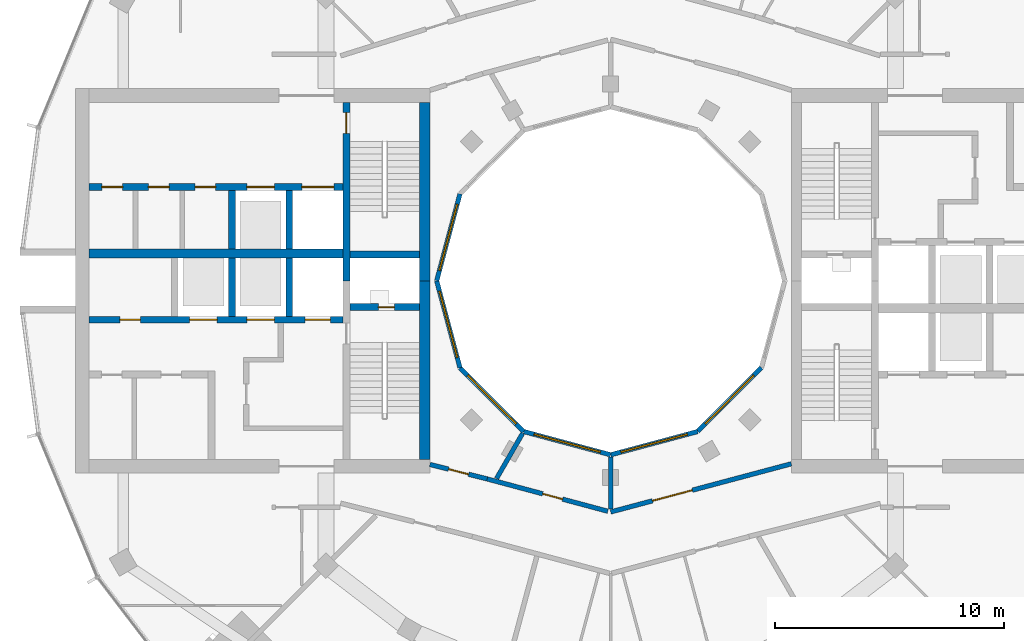
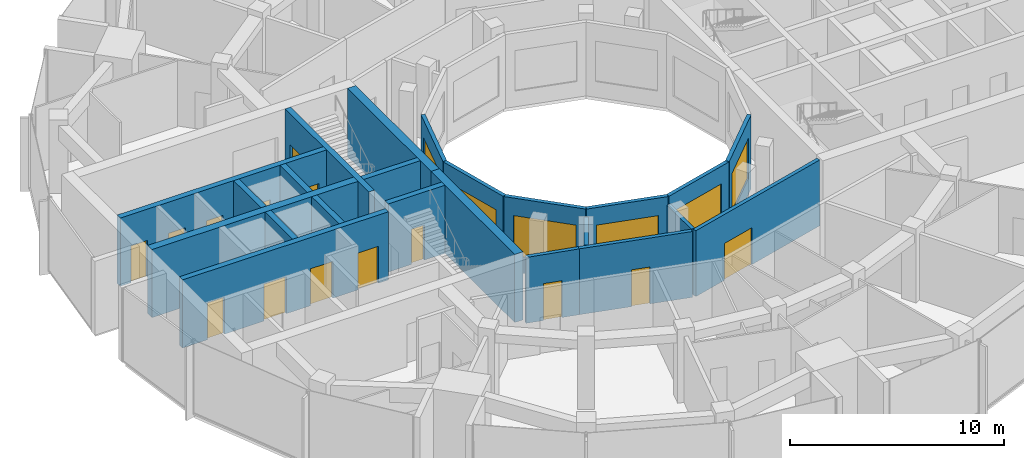
# One storey, part 9 of 15: 23 walls, 14 doors, 6 windows, 20 openings.
"""IFC4 building model written with IfcOpenShell, lengths in metres."""

from ifc_helpers import new_model, si_unit, direction, frame, frame_2d, origin, place, context, subcontext, project, spatial, rectangle, extrude, material, layer, layer_set, type_object, element, fill, save


model = new_model("IFC4")

# Units and contexts
model_context = context("Model", 3, precision=1e-05, world=origin(), true_north=direction((0.0, 1.0)))
body_context = subcontext(model_context, "Body", "Model", "MODEL_VIEW")
ifc_project = project(units=[si_unit("LENGTHUNIT", "METRE"), si_unit("AREAUNIT", "SQUARE_METRE"), si_unit("VOLUMEUNIT", "CUBIC_METRE"), si_unit("PLANEANGLEUNIT", "RADIAN"), si_unit("MASSUNIT", "GRAM", prefix="KILO")], contexts=[model_context])

# Site, building, storey
site_placement = place(None, origin())
site = spatial("IfcSite", under=ifc_project, at=site_placement, CompositionType="ELEMENT")
building_placement = place(site_placement, origin())
building = spatial("IfcBuilding", under=site, at=building_placement, Name="Torre Brocal", CompositionType="ELEMENT")
storey_placement = place(building_placement, frame((0.0, 0.0, 262.5)))
storey = spatial("IfcBuildingStorey", under=building, at=storey_placement, Name="L60", CompositionType="ELEMENT", Elevation=262.5)

# Wall, opening, door
ifc_material_1 = material(Name="Concrete C60", Category="concrete")
ifc_layer_1 = layer(ifc_material_1, 0.300048828125)
ifc_layer_set_1 = layer_set([ifc_layer_1], Name="Concrete C60")
wall_type_1 = type_object("IfcWallType", Name="CORE WALL 300 C60", PredefinedType="SHEAR", material=ifc_layer_set_1)
wall_1_placement = place(storey_placement, frame((68.449951171875, 82.800048828125, 0.0), z_axis=(0.0, 0.0, 1.0), x_axis=(0.0, -1.0, 0.0)))
wall_1 = element("IfcWall", 1, at=wall_1_placement, inside=storey, type_object=wall_type_1, Name="Wall CW300-60", PredefinedType="SHEAR", context=body_context, shape_type="SweptSolid", body=[
    extrude(rectangle(XDim=7.800048828125, YDim=0.300048828125, at=frame_2d((3.89990234375, 0.0))), origin(), (0.0, 0.0, 1.0), 3.8798828125),
])
opening_1_placement = place(wall_1_placement, frame((0.449951171875, 0.0, 0.0)))
opening_1 = element("IfcOpeningElement", 2, at=opening_1_placement, cuts=wall_1, Name="Opening W-D03", PredefinedType="OPENING", context=body_context, shape_type="SweptSolid", body=[
    extrude(rectangle(XDim=0.89990234375, YDim=2.10009765625, at=frame_2d((0.449951171875, 1.050048828125))), frame((0.0, 0.159912109375, 0.0), z_axis=(0.0, -1.0, 0.0), x_axis=(1.0, 0.0, 0.0)), (0.0, 0.0, 1.0), 0.320068359375),
])
ifc_material_2 = material(Name="Steel A653", Category="steel")
door_type_1 = type_object("IfcDoorType", Name="STAIR DOOR FD120 900X2100", OperationType="SINGLE_SWING_RIGHT", PredefinedType="DOOR", material=ifc_material_2)
door_1_placement = place(opening_1_placement, origin())
door_1 = element("IfcDoor", 3, at=door_1_placement, inside=storey, type_object=door_type_1, Name="Door W-D03", OperationType="SINGLE_SWING_LEFT", OverallHeight=2.10009765625, OverallWidth=0.89990234375, PredefinedType="DOOR", context=body_context, shape_type="SweptSolid", body=[
    extrude(rectangle(XDim=0.89990234375, YDim=2.10009765625, at=frame_2d((0.449951171875, 1.050048828125))), frame((0.0, 0.02490234375, 0.0), z_axis=(0.0, -1.0, 0.0), x_axis=(1.0, 0.0, 0.0)), (0.0, 0.0, 1.0), 0.050048828125),
])
fill(opening_1, door_1)

wall_2_placement = place(storey_placement, frame((71.64990234375, 73.85009765625, 0.0), z_axis=(0.0, 0.0, 1.0), x_axis=(-1.0, 0.0, 0.0)))
wall_2 = element("IfcWall", 4, at=wall_2_placement, inside=storey, type_object=wall_type_1, Name="Wall CW300-60", PredefinedType="SHEAR", context=body_context, shape_type="SweptSolid", body=[
    extrude(rectangle(XDim=3.0498046875, YDim=0.300048828125, at=frame_2d((1.52490234375, 0.0))), origin(), (0.0, 0.0, 1.0), 3.8798828125),
])
opening_2_placement = place(wall_2_placement, frame((1.10009765625, 0.0, 0.0)))
opening_2 = element("IfcOpeningElement", 5, at=opening_2_placement, cuts=wall_2, Name="Opening W-D01", PredefinedType="OPENING", context=body_context, shape_type="SweptSolid", body=[
    extrude(rectangle(XDim=0.699951171875, YDim=2.0, at=frame_2d((0.35009765625, 1.0))), frame((0.0, 0.159912109375, 0.0), z_axis=(0.0, -1.0, 0.0), x_axis=(1.0, 0.0, 0.0)), (0.0, 0.0, 1.0), 0.320068359375),
])
ifc_material_3 = material(Name="Steel A653", Category="steel")
door_type_2 = type_object("IfcDoorType", Name="RISER DOOR FD120 700X2000", OperationType="SINGLE_SWING_LEFT", PredefinedType="DOOR", material=ifc_material_3)
door_2_placement = place(opening_2_placement, frame((0.699951171875, 0.0, 0.0), z_axis=(0.0, 0.0, 1.0), x_axis=(-1.0, 0.0, 0.0)))
door_2 = element("IfcDoor", 6, at=door_2_placement, inside=storey, type_object=door_type_2, Name="Door W-D01", OperationType="SINGLE_SWING_RIGHT", OverallHeight=2.0, OverallWidth=0.699951171875, PredefinedType="DOOR", context=body_context, shape_type="SweptSolid", body=[
    extrude(rectangle(XDim=0.699951171875, YDim=2.0, at=frame_2d((0.35009765625, 1.0))), frame((0.0, 0.02490234375, 0.0), z_axis=(0.0, -1.0, 0.0), x_axis=(1.0, 0.0, 0.0)), (0.0, 0.0, 1.0), 0.050048828125),
])
fill(opening_2, door_2)

# Wall
wall_3_placement = place(storey_placement, frame((71.64990234375, 76.14990234375, 0.0), z_axis=(0.0, 0.0, 1.0), x_axis=(-1.0, 0.0, 0.0)))
element("IfcWall", 7, at=wall_3_placement, inside=storey, type_object=wall_type_1, Name="Wall CW300-60", PredefinedType="SHEAR", context=body_context, shape_type="SweptSolid", body=[
    extrude(rectangle(XDim=3.0498046875, YDim=0.300048828125, at=frame_2d((1.52490234375, 0.0))), origin(), (0.0, 0.0, 1.0), 3.8798828125),
])

# Wall, openings, doors
wall_4_placement = place(storey_placement, frame((68.300048828125, 73.300048828125, 0.0), z_axis=(0.0, 0.0, 1.0), x_axis=(-1.0, 0.0, 0.0)))
wall_4 = element("IfcWall", 8, at=wall_4_placement, inside=storey, type_object=wall_type_1, Name="Wall CW300-60", PredefinedType="SHEAR", context=body_context, shape_type="SweptSolid", body=[
    extrude(rectangle(XDim=11.10009765625, YDim=0.300048828125, at=frame_2d((5.550048828125, 0.0))), origin(), (0.0, 0.0, 1.0), 3.8798828125),
])
opening_3_placement = place(wall_4_placement, frame((0.550048828125, 0.0, 0.0)))
opening_3 = element("IfcOpeningElement", 9, at=opening_3_placement, cuts=wall_4, Name="Opening LD", PredefinedType="OPENING", context=body_context, shape_type="SweptSolid", body=[
    extrude(rectangle(XDim=1.10009765625, YDim=2.10009765625, at=frame_2d((0.550048828125, 1.050048828125))), frame((0.0, 0.159912109375, 0.0), z_axis=(0.0, -1.0, 0.0), x_axis=(1.0, 0.0, 0.0)), (0.0, 0.0, 1.0), 0.320068359375),
])
opening_4_placement = place(wall_4_placement, frame((3.0, 0.0, 0.0)))
opening_4 = element("IfcOpeningElement", 10, at=opening_4_placement, cuts=wall_4, Name="Opening LD12", PredefinedType="OPENING", context=body_context, shape_type="SweptSolid", body=[
    extrude(rectangle(XDim=1.199951171875, YDim=2.10009765625, at=frame_2d((0.60009765625, 1.050048828125))), frame((0.0, 0.159912109375, 0.0), z_axis=(0.0, -1.0, 0.0), x_axis=(1.0, 0.0, 0.0)), (0.0, 0.0, 1.0), 0.320068359375),
])
opening_5_placement = place(wall_4_placement, frame((5.5, 0.0, 0.0)))
opening_5 = element("IfcOpeningElement", 11, at=opening_5_placement, cuts=wall_4, Name="Opening LD12", PredefinedType="OPENING", context=body_context, shape_type="SweptSolid", body=[
    extrude(rectangle(XDim=1.199951171875, YDim=2.10009765625, at=frame_2d((0.60009765625, 1.050048828125))), frame((0.0, 0.159912109375, 0.0), z_axis=(0.0, -1.0, 0.0), x_axis=(1.0, 0.0, 0.0)), (0.0, 0.0, 1.0), 0.320068359375),
])
opening_6_placement = place(wall_4_placement, frame((8.85009765625, 0.0, 0.0)))
opening_6 = element("IfcOpeningElement", 12, at=opening_6_placement, cuts=wall_4, Name="Opening W-D04", PredefinedType="OPENING", context=body_context, shape_type="SweptSolid", body=[
    extrude(rectangle(XDim=0.89990234375, YDim=2.10009765625, at=frame_2d((0.449951171875, 1.050048828125))), frame((0.0, 0.159912109375, 0.0), z_axis=(0.0, -1.0, 0.0), x_axis=(1.0, 0.0, 0.0)), (0.0, 0.0, 1.0), 0.320068359375),
])
ifc_material_4 = material(Name="Stainless steel AISI 316", Category="steel")
door_type_3 = type_object("IfcDoorType", Name="LIFT LANDING DOOR 1100X2100", OperationType="DOUBLE_DOOR_SLIDING", PredefinedType="DOOR", material=ifc_material_4)
door_3_placement = place(opening_3_placement, origin())
door_3 = element("IfcDoor", 13, at=door_3_placement, inside=storey, type_object=door_type_3, Name="Door LD", OperationType="DOUBLE_DOOR_SLIDING", OverallHeight=2.10009765625, OverallWidth=1.10009765625, PredefinedType="DOOR", context=body_context, shape_type="SweptSolid", body=[
    extrude(rectangle(XDim=1.10009765625, YDim=2.10009765625, at=frame_2d((0.550048828125, 1.050048828125))), frame((0.0, 0.02490234375, 0.0), z_axis=(0.0, -1.0, 0.0), x_axis=(1.0, 0.0, 0.0)), (0.0, 0.0, 1.0), 0.050048828125),
])
fill(opening_3, door_3)
ifc_material_5 = material(Name="Stainless steel AISI 316", Category="steel")
door_type_4 = type_object("IfcDoorType", Name="LIFT LANDING DOOR 1200X2100", OperationType="DOUBLE_DOOR_SLIDING", PredefinedType="DOOR", material=ifc_material_5)
door_4_placement = place(opening_4_placement, origin())
door_4 = element("IfcDoor", 14, at=door_4_placement, inside=storey, type_object=door_type_4, Name="Door LD12", OperationType="DOUBLE_DOOR_SLIDING", OverallHeight=2.10009765625, OverallWidth=1.199951171875, PredefinedType="DOOR", context=body_context, shape_type="SweptSolid", body=[
    extrude(rectangle(XDim=1.199951171875, YDim=2.10009765625, at=frame_2d((0.60009765625, 1.050048828125))), frame((0.0, 0.02490234375, 0.0), z_axis=(0.0, -1.0, 0.0), x_axis=(1.0, 0.0, 0.0)), (0.0, 0.0, 1.0), 0.050048828125),
])
fill(opening_4, door_4)
door_5_placement = place(opening_5_placement, origin())
door_5 = element("IfcDoor", 15, at=door_5_placement, inside=storey, type_object=door_type_4, Name="Door LD12", OperationType="DOUBLE_DOOR_SLIDING", OverallHeight=2.10009765625, OverallWidth=1.199951171875, PredefinedType="DOOR", context=body_context, shape_type="SweptSolid", body=[
    extrude(rectangle(XDim=1.199951171875, YDim=2.10009765625, at=frame_2d((0.60009765625, 1.050048828125))), frame((0.0, 0.02490234375, 0.0), z_axis=(0.0, -1.0, 0.0), x_axis=(1.0, 0.0, 0.0)), (0.0, 0.0, 1.0), 0.050048828125),
])
fill(opening_5, door_5)
ifc_material_6 = material(Name="Steel A653", Category="steel")
door_type_5 = type_object("IfcDoorType", Name="ROOM DOOR FD30S 900X2100", OperationType="SINGLE_SWING_LEFT", PredefinedType="DOOR", material=ifc_material_6)
door_6_placement = place(opening_6_placement, frame((0.89990234375, 0.0, 0.0), z_axis=(0.0, 0.0, 1.0), x_axis=(-1.0, 0.0, 0.0)))
door_6 = element("IfcDoor", 16, at=door_6_placement, inside=storey, type_object=door_type_5, Name="Door W-D04", OperationType="SINGLE_SWING_LEFT", OverallHeight=2.10009765625, OverallWidth=0.89990234375, PredefinedType="DOOR", context=body_context, shape_type="SweptSolid", body=[
    extrude(rectangle(XDim=0.89990234375, YDim=2.10009765625, at=frame_2d((0.449951171875, 1.050048828125))), frame((0.0, 0.02490234375, 0.0), z_axis=(0.0, -1.0, 0.0), x_axis=(1.0, 0.0, 0.0)), (0.0, 0.0, 1.0), 0.050048828125),
])
fill(opening_6, door_6)

wall_5_placement = place(storey_placement, frame((68.300048828125, 79.10009765625, 0.0), z_axis=(0.0, 0.0, 1.0), x_axis=(-1.0, 0.0, 0.0)))
wall_5 = element("IfcWall", 17, at=wall_5_placement, inside=storey, type_object=wall_type_1, Name="Wall CW300-60", PredefinedType="SHEAR", context=body_context, shape_type="SweptSolid", body=[
    extrude(rectangle(XDim=11.10009765625, YDim=0.300048828125, at=frame_2d((5.550048828125, 0.0))), origin(), (0.0, 0.0, 1.0), 3.8798828125),
])
opening_7_placement = place(wall_5_placement, frame((0.39990234375, 0.0, 0.0)))
opening_7 = element("IfcOpeningElement", 18, at=opening_7_placement, cuts=wall_5, Name="Opening LD14", PredefinedType="OPENING", context=body_context, shape_type="SweptSolid", body=[
    extrude(rectangle(XDim=1.39990234375, YDim=2.10009765625, at=frame_2d((0.699951171875, 1.050048828125))), frame((0.0, 0.159912109375, 0.0), z_axis=(0.0, -1.0, 0.0), x_axis=(1.0, 0.0, 0.0)), (0.0, 0.0, 1.0), 0.320068359375),
])
opening_8_placement = place(wall_5_placement, frame((3.0, 0.0, 0.0)))
opening_8 = element("IfcOpeningElement", 19, at=opening_8_placement, cuts=wall_5, Name="Opening LD12", PredefinedType="OPENING", context=body_context, shape_type="SweptSolid", body=[
    extrude(rectangle(XDim=1.199951171875, YDim=2.10009765625, at=frame_2d((0.60009765625, 1.050048828125))), frame((0.0, 0.159912109375, 0.0), z_axis=(0.0, -1.0, 0.0), x_axis=(1.0, 0.0, 0.0)), (0.0, 0.0, 1.0), 0.320068359375),
])
opening_9_placement = place(wall_5_placement, frame((5.566650390625, 0.0, 0.0)))
opening_9 = element("IfcOpeningElement", 20, at=opening_9_placement, cuts=wall_5, Name="Opening W-D05", PredefinedType="OPENING", context=body_context, shape_type="SweptSolid", body=[
    extrude(rectangle(XDim=0.89990234375, YDim=2.10009765625, at=frame_2d((0.449951171875, 1.050048828125))), frame((0.0, 0.159912109375, 0.0), z_axis=(0.0, -1.0, 0.0), x_axis=(1.0, 0.0, 0.0)), (0.0, 0.0, 1.0), 0.320068359375),
])
opening_10_placement = place(wall_5_placement, frame((7.60009765625, 0.0, 0.0)))
opening_10 = element("IfcOpeningElement", 21, at=opening_10_placement, cuts=wall_5, Name="Opening W-D06", PredefinedType="OPENING", context=body_context, shape_type="SweptSolid", body=[
    extrude(rectangle(XDim=0.89990234375, YDim=2.10009765625, at=frame_2d((0.449951171875, 1.050048828125))), frame((0.0, 0.159912109375, 0.0), z_axis=(0.0, -1.0, 0.0), x_axis=(1.0, 0.0, 0.0)), (0.0, 0.0, 1.0), 0.320068359375),
])
opening_11_placement = place(wall_5_placement, frame((9.63330078125, 0.0, 0.0)))
opening_11 = element("IfcOpeningElement", 22, at=opening_11_placement, cuts=wall_5, Name="Opening W-D07", PredefinedType="OPENING", context=body_context, shape_type="SweptSolid", body=[
    extrude(rectangle(XDim=0.89990234375, YDim=2.10009765625, at=frame_2d((0.449951171875, 1.050048828125))), frame((0.0, 0.159912109375, 0.0), z_axis=(0.0, -1.0, 0.0), x_axis=(1.0, 0.0, 0.0)), (0.0, 0.0, 1.0), 0.320068359375),
])
door_7_placement = place(opening_8_placement, origin())
door_7 = element("IfcDoor", 23, at=door_7_placement, inside=storey, type_object=door_type_4, Name="Door LD12", OperationType="DOUBLE_DOOR_SLIDING", OverallHeight=2.10009765625, OverallWidth=1.199951171875, PredefinedType="DOOR", context=body_context, shape_type="SweptSolid", body=[
    extrude(rectangle(XDim=1.199951171875, YDim=2.10009765625, at=frame_2d((0.60009765625, 1.050048828125))), frame((0.0, 0.02490234375, 0.0), z_axis=(0.0, -1.0, 0.0), x_axis=(1.0, 0.0, 0.0)), (0.0, 0.0, 1.0), 0.050048828125),
])
fill(opening_8, door_7)
ifc_material_7 = material(Name="Stainless steel AISI 316", Category="steel")
door_type_6 = type_object("IfcDoorType", Name="LIFT LANDING DOOR 1400X2100", OperationType="DOUBLE_DOOR_SLIDING", PredefinedType="DOOR", material=ifc_material_7)
door_8_placement = place(opening_7_placement, origin())
door_8 = element("IfcDoor", 24, at=door_8_placement, inside=storey, type_object=door_type_6, Name="Door LD14", OperationType="DOUBLE_DOOR_SLIDING", OverallHeight=2.10009765625, OverallWidth=1.39990234375, PredefinedType="DOOR", context=body_context, shape_type="SweptSolid", body=[
    extrude(rectangle(XDim=1.39990234375, YDim=2.10009765625, at=frame_2d((0.699951171875, 1.050048828125))), frame((0.0, 0.02490234375, 0.0), z_axis=(0.0, -1.0, 0.0), x_axis=(1.0, 0.0, 0.0)), (0.0, 0.0, 1.0), 0.050048828125),
])
fill(opening_7, door_8)
door_9_placement = place(opening_9_placement, origin())
door_9 = element("IfcDoor", 25, at=door_9_placement, inside=storey, type_object=door_type_5, Name="Door W-D05", OperationType="SINGLE_SWING_RIGHT", OverallHeight=2.10009765625, OverallWidth=0.89990234375, PredefinedType="DOOR", context=body_context, shape_type="SweptSolid", body=[
    extrude(rectangle(XDim=0.89990234375, YDim=2.10009765625, at=frame_2d((0.449951171875, 1.050048828125))), frame((0.0, 0.02490234375, 0.0), z_axis=(0.0, -1.0, 0.0), x_axis=(1.0, 0.0, 0.0)), (0.0, 0.0, 1.0), 0.050048828125),
])
fill(opening_9, door_9)
door_10_placement = place(opening_10_placement, origin())
door_10 = element("IfcDoor", 26, at=door_10_placement, inside=storey, type_object=door_type_5, Name="Door W-D06", OperationType="SINGLE_SWING_RIGHT", OverallHeight=2.10009765625, OverallWidth=0.89990234375, PredefinedType="DOOR", context=body_context, shape_type="SweptSolid", body=[
    extrude(rectangle(XDim=0.89990234375, YDim=2.10009765625, at=frame_2d((0.449951171875, 1.050048828125))), frame((0.0, 0.02490234375, 0.0), z_axis=(0.0, -1.0, 0.0), x_axis=(1.0, 0.0, 0.0)), (0.0, 0.0, 1.0), 0.050048828125),
])
fill(opening_10, door_10)
door_11_placement = place(opening_11_placement, origin())
door_11 = element("IfcDoor", 27, at=door_11_placement, inside=storey, type_object=door_type_5, Name="Door W-D07", OperationType="SINGLE_SWING_LEFT", OverallHeight=2.10009765625, OverallWidth=0.89990234375, PredefinedType="DOOR", context=body_context, shape_type="SweptSolid", body=[
    extrude(rectangle(XDim=0.89990234375, YDim=2.10009765625, at=frame_2d((0.449951171875, 1.050048828125))), frame((0.0, 0.02490234375, 0.0), z_axis=(0.0, -1.0, 0.0), x_axis=(1.0, 0.0, 0.0)), (0.0, 0.0, 1.0), 0.050048828125),
])
fill(opening_11, door_11)

# Walls
for number, where, z_axis, x_axis, name in (
    (28, (65.949951171875, 76.0, 0.0), (0.0, 0.0, 1.0), (0.0, -1.0, 0.0), "Wall CW300-60"),
    (29, (63.449951171875, 76.0, 0.0), (0.0, 0.0, 1.0), (0.0, -1.0, 0.0), "Wall CW300-60"),
    (30, (65.949951171875, 78.949951171875, 0.0), (0.0, 0.0, 1.0), (0.0, -1.0, 0.0), "Wall CW300-60"),
    (31, (63.449951171875, 78.949951171875, 0.0), (0.0, 0.0, 1.0), (0.0, -1.0, 0.0), "Wall CW300-60"),
):
    element("IfcWall", number, at=place(storey_placement, frame(where, z_axis=z_axis, x_axis=x_axis)), inside=storey, type_object=wall_type_1, Name=name, PredefinedType="SHEAR", context=body_context, shape_type="SweptSolid", body=[
        extrude(rectangle(XDim=2.550048828125, YDim=0.300048828125, at=frame_2d((1.27490234375, 0.0))), origin(), (0.0, 0.0, 1.0), 3.8798828125),
    ])
ifc_material_8 = material(Name="Concrete C60", Category="concrete")
ifc_layer_2 = layer(ifc_material_8, 0.39990234375)
ifc_layer_set_2 = layer_set([ifc_layer_2], Name="Concrete C60")
wall_type_2 = type_object("IfcWallType", Name="CORE WALL 400 C60", PredefinedType="SHEAR", material=ifc_layer_set_2)
wall_6_placement = place(storey_placement, frame((68.300048828125, 76.199951171875, 0.0), z_axis=(0.0, 0.0, 1.0), x_axis=(-1.0, 0.0, 0.0)))
element("IfcWall", 32, at=wall_6_placement, inside=storey, type_object=wall_type_2, Name="Wall CW400-60", PredefinedType="SHEAR", context=body_context, shape_type="SweptSolid", body=[
    extrude(rectangle(XDim=11.10009765625, YDim=0.39990234375, at=frame_2d((5.550048828125, 0.0))), origin(), (0.0, 0.0, 1.0), 3.8798828125),
])
ifc_material_9 = material(Name="Concrete C60", Category="concrete")
ifc_layer_3 = layer(ifc_material_9, 0.449951171875)
ifc_layer_set_3 = layer_set([ifc_layer_3], Name="Concrete C60")
wall_type_3 = type_object("IfcWallType", Name="CORE WALL 450 C60", PredefinedType="SHEAR", material=ifc_layer_set_3)
for number, where, z_axis, x_axis, name in (
    (33, (71.875, 75.0, 0.0), (0.0, 0.0, 1.0), (0.0, -1.0, 0.0), "Wall CW450-60"),
    (34, (71.875, 82.800048828125, 0.0), (0.0, 0.0, 1.0), (0.0, -1.0, 0.0), "Wall CW450-60"),
):
    element("IfcWall", number, at=place(storey_placement, frame(where, z_axis=z_axis, x_axis=x_axis)), inside=storey, type_object=wall_type_3, Name=name, PredefinedType="SHEAR", context=body_context, shape_type="SweptSolid", body=[
        extrude(rectangle(XDim=7.800048828125, YDim=0.449951171875, at=frame_2d((3.89990234375, 0.0))), origin(), (0.0, 0.0, 1.0), 3.8798828125),
    ])

# Wall, opening, door
ifc_material_10 = material(Name="Gypsum board", Category="Gypsum")
ifc_layer_4 = layer(ifc_material_10, 0.199951171875)
ifc_layer_set_4 = layer_set([ifc_layer_4], Name="Gypsum board")
wall_type_4 = type_object("IfcWallType", Name="PARTITION 200 EI60", PredefinedType="PARTITIONING", material=ifc_layer_set_4)
wall_7_placement = place(storey_placement, frame((72.10009765625, 66.97509765625, 0.0), z_axis=(0.0, 0.0, 1.0), x_axis=(0.969471314457, -0.245204752086, 0.0)))
wall_7 = element("IfcWall", 35, at=wall_7_placement, inside=storey, type_object=wall_type_4, Name="CORRIDOR WALL", PredefinedType="PARTITIONING", context=body_context, shape_type="SweptSolid", body=[
    extrude(rectangle(XDim=2.581787109375, YDim=0.199951171875, at=frame_2d((1.291015625, 0.0))), origin(), (0.0, 0.0, 1.0), 3.75),
])
opening_12_placement = place(wall_7_placement, frame((0.8408203125, 0.0, 0.0)))
opening_12 = element("IfcOpeningElement", 36, at=opening_12_placement, cuts=wall_7, Name="Opening B05-D36", PredefinedType="OPENING", context=body_context, shape_type="SweptSolid", body=[
    extrude(rectangle(XDim=0.89990234375, YDim=2.10009765625, at=frame_2d((0.449951171875, 1.050048828125))), frame((0.0, 0.10986328125, 0.0), z_axis=(0.0, -1.0, 0.0), x_axis=(1.0, 0.0, 0.0)), (0.0, 0.0, 1.0), 0.219970703125),
])
ifc_material_11 = material(Name="Timber", Category="wood")
door_type_7 = type_object("IfcDoorType", Name="ROOM DOOR 900X2100", OperationType="SINGLE_SWING_LEFT", PredefinedType="DOOR", material=ifc_material_11)
door_12_placement = place(opening_12_placement, origin())
door_12 = element("IfcDoor", 37, at=door_12_placement, inside=storey, type_object=door_type_7, Name="B05-D36", OperationType="SINGLE_SWING_LEFT", OverallHeight=2.10009765625, OverallWidth=0.89990234375, PredefinedType="DOOR", context=body_context, shape_type="SweptSolid", body=[
    extrude(rectangle(XDim=0.89990234375, YDim=2.10009765625, at=frame_2d((0.449951171875, 1.050048828125))), frame((0.0, 0.02490234375, 0.0), z_axis=(0.0, -1.0, 0.0), x_axis=(1.0, 0.0, 0.0)), (0.0, 0.0, 1.0), 0.050048828125),
])
fill(opening_12, door_12)

wall_8_placement = place(storey_placement, frame((74.60302734375, 66.342041015625, 0.0), z_axis=(0.0, 0.0, 1.0), x_axis=(0.965920893652, -0.258837453254, 0.0)))
wall_8 = element("IfcWall", 38, at=wall_8_placement, inside=storey, type_object=wall_type_4, Name="CORRIDOR WALL", PredefinedType="PARTITIONING", context=body_context, shape_type="SweptSolid", body=[
    extrude(rectangle(XDim=5.45751953125, YDim=0.199951171875, at=frame_2d((2.728759765625, 0.0))), origin(), (0.0, 0.0, 1.0), 3.75),
])
opening_13_placement = place(wall_8_placement, frame((2.512451171875, 0.0, 0.0)))
opening_13 = element("IfcOpeningElement", 39, at=opening_13_placement, cuts=wall_8, Name="Opening B05-D35", PredefinedType="OPENING", context=body_context, shape_type="SweptSolid", body=[
    extrude(rectangle(XDim=0.89990234375, YDim=2.10009765625, at=frame_2d((0.449951171875, 1.050048828125))), frame((0.0, 0.10986328125, 0.0), z_axis=(0.0, -1.0, 0.0), x_axis=(1.0, 0.0, 0.0)), (0.0, 0.0, 1.0), 0.219970703125),
])
door_13_placement = place(opening_13_placement, origin())
door_13 = element("IfcDoor", 40, at=door_13_placement, inside=storey, type_object=door_type_7, Name="B05-D35", OperationType="SINGLE_SWING_LEFT", OverallHeight=2.10009765625, OverallWidth=0.89990234375, PredefinedType="DOOR", context=body_context, shape_type="SweptSolid", body=[
    extrude(rectangle(XDim=0.89990234375, YDim=2.10009765625, at=frame_2d((0.449951171875, 1.050048828125))), frame((0.0, 0.02490234375, 0.0), z_axis=(0.0, -1.0, 0.0), x_axis=(1.0, 0.0, 0.0)), (0.0, 0.0, 1.0), 0.050048828125),
])
fill(opening_13, door_13)

# Walls
wall_9_placement = place(storey_placement, frame((75.012939453125, 66.362548828125, 0.0), z_axis=(0.0, 0.0, 1.0), x_axis=(0.500097042406, 0.865969369075, 0.0)))
element("IfcWall", 41, at=wall_9_placement, inside=storey, type_object=wall_type_4, Name="SERVICE ROOM WALL", PredefinedType="PARTITIONING", context=body_context, shape_type="SweptSolid", body=[
    extrude(rectangle(XDim=2.275390625, YDim=0.199951171875, at=frame_2d((1.1376953125, 0.0))), origin(), (0.0, 0.0, 1.0), 3.75),
])
wall_10_placement = place(storey_placement, frame((80.0, 65.027099609375, 0.0), z_axis=(0.0, 0.0, 1.0), x_axis=(0.0, 1.0, 0.0)))
element("IfcWall", 42, at=wall_10_placement, inside=storey, type_object=wall_type_4, Name="SERVICE ROOM WALL", PredefinedType="PARTITIONING", context=body_context, shape_type="SweptSolid", body=[
    extrude(rectangle(XDim=2.27294921875, YDim=0.199951171875, at=frame_2d((1.136474609375, 0.0))), origin(), (0.0, 0.0, 1.0), 3.75),
])

# Wall, opening, door
wall_11_placement = place(storey_placement, frame((80.00048828125, 64.8984375, 0.0), z_axis=(0.0, 0.0, 1.0), x_axis=(0.966236923997, 0.25765520896, 0.0)))
wall_11 = element("IfcWall", 43, at=wall_11_placement, inside=storey, type_object=wall_type_4, Name="CORRIDOR WALL", PredefinedType="PARTITIONING", context=body_context, shape_type="SweptSolid", body=[
    extrude(rectangle(XDim=8.16796875, YDim=0.199951171875, at=frame_2d((4.083984375, 0.0))), origin(), (0.0, 0.0, 1.0), 3.75),
])
opening_14_placement = place(wall_11_placement, frame((1.892578125, 0.0, 0.0)))
opening_14 = element("IfcOpeningElement", 44, at=opening_14_placement, cuts=wall_11, Name="Opening B05-D34", PredefinedType="OPENING", context=body_context, shape_type="SweptSolid", body=[
    extrude(rectangle(XDim=1.800048828125, YDim=2.10009765625, at=frame_2d((0.89990234375, 1.050048828125))), frame((0.0, 0.10986328125, 0.0), z_axis=(0.0, -1.0, 0.0), x_axis=(1.0, 0.0, 0.0)), (0.0, 0.0, 1.0), 0.219970703125),
])
ifc_material_12 = material(Name="Timber", Category="wood")
door_type_8 = type_object("IfcDoorType", Name="DOUBLE DOOR 1800X2100", OperationType="DOUBLE_DOOR_SINGLE_SWING", PredefinedType="DOOR", material=ifc_material_12)
door_14_placement = place(opening_14_placement, origin())
door_14 = element("IfcDoor", 45, at=door_14_placement, inside=storey, type_object=door_type_8, Name="B05-D34", OperationType="DOUBLE_DOOR_SINGLE_SWING", OverallHeight=2.10009765625, OverallWidth=1.800048828125, PredefinedType="DOOR", context=body_context, shape_type="SweptSolid", body=[
    extrude(rectangle(XDim=1.800048828125, YDim=2.10009765625, at=frame_2d((0.89990234375, 1.050048828125))), frame((0.0, 0.02490234375, 0.0), z_axis=(0.0, -1.0, 0.0), x_axis=(1.0, 0.0, 0.0)), (0.0, 0.0, 1.0), 0.050048828125),
])
fill(opening_14, door_14)

# Wall, opening, window
ifc_material_13 = material(Name="Concrete C40", Category="concrete")
ifc_layer_5 = layer(ifc_material_13, 0.199951171875)
ifc_layer_set_5 = layer_set([ifc_layer_5], Name="Concrete C40")
wall_type_5 = type_object("IfcWallType", Name="WELL FACADE WALL 200", PredefinedType="NOTDEFINED", material=ifc_layer_set_5)
wall_12_placement = place(storey_placement, frame((73.4150390625, 78.8017578125, 0.0), z_axis=(0.0, 0.0, 1.0), x_axis=(-0.258789828301, -0.965933654434, 0.0)))
wall_12 = element("IfcWall", 46, at=wall_12_placement, inside=storey, type_object=wall_type_5, Name="WELL FACADE WALL", PredefinedType="NOTDEFINED", context=body_context, shape_type="SweptSolid", body=[
    extrude(rectangle(XDim=3.935791015625, YDim=0.199951171875, at=frame_2d((1.9677734375, 0.0))), origin(), (0.0, 0.0, 1.0), 4.199951171875),
])
opening_15_placement = place(wall_12_placement, frame((0.468017578125, 0.0, 0.89990234375)))
opening_15 = element("IfcOpeningElement", 47, at=opening_15_placement, cuts=wall_12, Name="Opening W1", PredefinedType="OPENING", context=body_context, shape_type="SweptSolid", body=[
    extrude(rectangle(XDim=3.0, YDim=2.300048828125, at=frame_2d((1.5, 1.14990234375))), frame((0.0, 0.10986328125, 0.0), z_axis=(0.0, -1.0, 0.0), x_axis=(1.0, 0.0, 0.0)), (0.0, 0.0, 1.0), 0.219970703125),
])
ifc_material_14 = material(Name="Aluminium and glass", Category="aluminium")
window_type = type_object("IfcWindowType", Name="WELL WINDOW 3000X2300", PartitioningType="SINGLE_PANEL", PredefinedType="WINDOW", material=ifc_material_14)
window_1_placement = place(opening_15_placement, origin())
window_1 = element("IfcWindow", 48, at=window_1_placement, inside=storey, type_object=window_type, Name="WELL WINDOW 3000X2300", OverallHeight=2.300048828125, OverallWidth=3.0, PartitioningType="SINGLE_PANEL", PredefinedType="WINDOW", context=body_context, shape_type="SweptSolid", body=[
    extrude(rectangle(XDim=3.0, YDim=2.300048828125, at=frame_2d((1.5, 1.14990234375))), frame((0.0, 0.030029296875, 0.0), z_axis=(0.0, -1.0, 0.0), x_axis=(1.0, 0.0, 0.0)), (0.0, 0.0, 1.0), 0.06005859375),
])
fill(opening_15, window_1)

wall_13_placement = place(storey_placement, frame((72.396484375, 75.0, 0.0), z_axis=(0.0, 0.0, 1.0), x_axis=(0.258789828301, -0.965933654434, 0.0)))
wall_13 = element("IfcWall", 49, at=wall_13_placement, inside=storey, type_object=wall_type_5, Name="WELL FACADE WALL", PredefinedType="NOTDEFINED", context=body_context, shape_type="SweptSolid", body=[
    extrude(rectangle(XDim=3.935791015625, YDim=0.199951171875, at=frame_2d((1.9677734375, 0.0))), origin(), (0.0, 0.0, 1.0), 4.199951171875),
])
opening_16_placement = place(wall_13_placement, frame((0.468017578125, 0.0, 0.89990234375)))
opening_16 = element("IfcOpeningElement", 50, at=opening_16_placement, cuts=wall_13, Name="Opening W1", PredefinedType="OPENING", context=body_context, shape_type="SweptSolid", body=[
    extrude(rectangle(XDim=3.0, YDim=2.300048828125, at=frame_2d((1.5, 1.14990234375))), frame((0.0, 0.10986328125, 0.0), z_axis=(0.0, -1.0, 0.0), x_axis=(1.0, 0.0, 0.0)), (0.0, 0.0, 1.0), 0.219970703125),
])
window_2_placement = place(opening_16_placement, origin())
window_2 = element("IfcWindow", 51, at=window_2_placement, inside=storey, type_object=window_type, Name="WELL WINDOW 3000X2300", OverallHeight=2.300048828125, OverallWidth=3.0, PartitioningType="SINGLE_PANEL", PredefinedType="WINDOW", context=body_context, shape_type="SweptSolid", body=[
    extrude(rectangle(XDim=3.0, YDim=2.300048828125, at=frame_2d((1.5, 1.14990234375))), frame((0.0, 0.030029296875, 0.0), z_axis=(0.0, -1.0, 0.0), x_axis=(1.0, 0.0, 0.0)), (0.0, 0.0, 1.0), 0.06005859375),
])
fill(opening_16, window_2)

wall_14_placement = place(storey_placement, frame((73.4150390625, 71.1982421875, 0.0), z_axis=(0.0, 0.0, 1.0), x_axis=(0.707106781187, -0.707106781187, 0.0)))
wall_14 = element("IfcWall", 52, at=wall_14_placement, inside=storey, type_object=wall_type_5, Name="WELL FACADE WALL", PredefinedType="NOTDEFINED", context=body_context, shape_type="SweptSolid", body=[
    extrude(rectangle(XDim=3.93603515625, YDim=0.199951171875, at=frame_2d((1.968017578125, 0.0))), origin(), (0.0, 0.0, 1.0), 4.199951171875),
])
opening_17_placement = place(wall_14_placement, frame((0.468017578125, 0.0, 0.89990234375)))
opening_17 = element("IfcOpeningElement", 53, at=opening_17_placement, cuts=wall_14, Name="Opening W1", PredefinedType="OPENING", context=body_context, shape_type="SweptSolid", body=[
    extrude(rectangle(XDim=3.0, YDim=2.300048828125, at=frame_2d((1.5, 1.14990234375))), frame((0.0, 0.10986328125, 0.0), z_axis=(0.0, -1.0, 0.0), x_axis=(1.0, 0.0, 0.0)), (0.0, 0.0, 1.0), 0.219970703125),
])
window_3_placement = place(opening_17_placement, origin())
window_3 = element("IfcWindow", 54, at=window_3_placement, inside=storey, type_object=window_type, Name="WELL WINDOW 3000X2300", OverallHeight=2.300048828125, OverallWidth=3.0, PartitioningType="SINGLE_PANEL", PredefinedType="WINDOW", context=body_context, shape_type="SweptSolid", body=[
    extrude(rectangle(XDim=3.0, YDim=2.300048828125, at=frame_2d((1.5, 1.14990234375))), frame((0.0, 0.030029296875, 0.0), z_axis=(0.0, -1.0, 0.0), x_axis=(1.0, 0.0, 0.0)), (0.0, 0.0, 1.0), 0.06005859375),
])
fill(opening_17, window_3)

wall_15_placement = place(storey_placement, frame((76.1982421875, 68.4150390625, 0.0), z_axis=(0.0, 0.0, 1.0), x_axis=(0.965933654434, -0.258789828301, 0.0)))
wall_15 = element("IfcWall", 55, at=wall_15_placement, inside=storey, type_object=wall_type_5, Name="WELL FACADE WALL", PredefinedType="NOTDEFINED", context=body_context, shape_type="SweptSolid", body=[
    extrude(rectangle(XDim=3.935791015625, YDim=0.199951171875, at=frame_2d((1.9677734375, 0.0))), origin(), (0.0, 0.0, 1.0), 4.199951171875),
])
opening_18_placement = place(wall_15_placement, frame((0.468017578125, 0.0, 0.89990234375)))
opening_18 = element("IfcOpeningElement", 56, at=opening_18_placement, cuts=wall_15, Name="Opening W1", PredefinedType="OPENING", context=body_context, shape_type="SweptSolid", body=[
    extrude(rectangle(XDim=3.0, YDim=2.300048828125, at=frame_2d((1.5, 1.14990234375))), frame((0.0, 0.10986328125, 0.0), z_axis=(0.0, -1.0, 0.0), x_axis=(1.0, 0.0, 0.0)), (0.0, 0.0, 1.0), 0.219970703125),
])
window_4_placement = place(opening_18_placement, origin())
window_4 = element("IfcWindow", 57, at=window_4_placement, inside=storey, type_object=window_type, Name="WELL WINDOW 3000X2300", OverallHeight=2.300048828125, OverallWidth=3.0, PartitioningType="SINGLE_PANEL", PredefinedType="WINDOW", context=body_context, shape_type="SweptSolid", body=[
    extrude(rectangle(XDim=3.0, YDim=2.300048828125, at=frame_2d((1.5, 1.14990234375))), frame((0.0, 0.030029296875, 0.0), z_axis=(0.0, -1.0, 0.0), x_axis=(1.0, 0.0, 0.0)), (0.0, 0.0, 1.0), 0.06005859375),
])
fill(opening_18, window_4)

wall_16_placement = place(storey_placement, frame((80.0, 67.396484375, 0.0), z_axis=(0.0, 0.0, 1.0), x_axis=(0.965933654434, 0.258789828301, 0.0)))
wall_16 = element("IfcWall", 58, at=wall_16_placement, inside=storey, type_object=wall_type_5, Name="WELL FACADE WALL", PredefinedType="NOTDEFINED", context=body_context, shape_type="SweptSolid", body=[
    extrude(rectangle(XDim=3.935791015625, YDim=0.199951171875, at=frame_2d((1.9677734375, 0.0))), origin(), (0.0, 0.0, 1.0), 4.199951171875),
])
opening_19_placement = place(wall_16_placement, frame((0.468017578125, 0.0, 0.89990234375)))
opening_19 = element("IfcOpeningElement", 59, at=opening_19_placement, cuts=wall_16, Name="Opening W1", PredefinedType="OPENING", context=body_context, shape_type="SweptSolid", body=[
    extrude(rectangle(XDim=3.0, YDim=2.300048828125, at=frame_2d((1.5, 1.14990234375))), frame((0.0, 0.10986328125, 0.0), z_axis=(0.0, -1.0, 0.0), x_axis=(1.0, 0.0, 0.0)), (0.0, 0.0, 1.0), 0.219970703125),
])
window_5_placement = place(opening_19_placement, origin())
window_5 = element("IfcWindow", 60, at=window_5_placement, inside=storey, type_object=window_type, Name="WELL WINDOW 3000X2300", OverallHeight=2.300048828125, OverallWidth=3.0, PartitioningType="SINGLE_PANEL", PredefinedType="WINDOW", context=body_context, shape_type="SweptSolid", body=[
    extrude(rectangle(XDim=3.0, YDim=2.300048828125, at=frame_2d((1.5, 1.14990234375))), frame((0.0, 0.030029296875, 0.0), z_axis=(0.0, -1.0, 0.0), x_axis=(1.0, 0.0, 0.0)), (0.0, 0.0, 1.0), 0.06005859375),
])
fill(opening_19, window_5)

wall_17_placement = place(storey_placement, frame((83.8017578125, 68.4150390625, 0.0), z_axis=(0.0, 0.0, 1.0), x_axis=(0.707106781187, 0.707106781187, 0.0)))
wall_17 = element("IfcWall", 61, at=wall_17_placement, inside=storey, type_object=wall_type_5, Name="WELL FACADE WALL", PredefinedType="NOTDEFINED", context=body_context, shape_type="SweptSolid", body=[
    extrude(rectangle(XDim=3.93603515625, YDim=0.199951171875, at=frame_2d((1.968017578125, 0.0))), origin(), (0.0, 0.0, 1.0), 4.199951171875),
])
opening_20_placement = place(wall_17_placement, frame((0.468017578125, 0.0, 0.89990234375)))
opening_20 = element("IfcOpeningElement", 62, at=opening_20_placement, cuts=wall_17, Name="Opening W1", PredefinedType="OPENING", context=body_context, shape_type="SweptSolid", body=[
    extrude(rectangle(XDim=3.0, YDim=2.300048828125, at=frame_2d((1.5, 1.14990234375))), frame((0.0, 0.10986328125, 0.0), z_axis=(0.0, -1.0, 0.0), x_axis=(1.0, 0.0, 0.0)), (0.0, 0.0, 1.0), 0.219970703125),
])
window_6_placement = place(opening_20_placement, origin())
window_6 = element("IfcWindow", 63, at=window_6_placement, inside=storey, type_object=window_type, Name="WELL WINDOW 3000X2300", OverallHeight=2.300048828125, OverallWidth=3.0, PartitioningType="SINGLE_PANEL", PredefinedType="WINDOW", context=body_context, shape_type="SweptSolid", body=[
    extrude(rectangle(XDim=3.0, YDim=2.300048828125, at=frame_2d((1.5, 1.14990234375))), frame((0.0, 0.030029296875, 0.0), z_axis=(0.0, -1.0, 0.0), x_axis=(1.0, 0.0, 0.0)), (0.0, 0.0, 1.0), 0.06005859375),
])
fill(opening_20, window_6)

save(model, "model.ifc")
